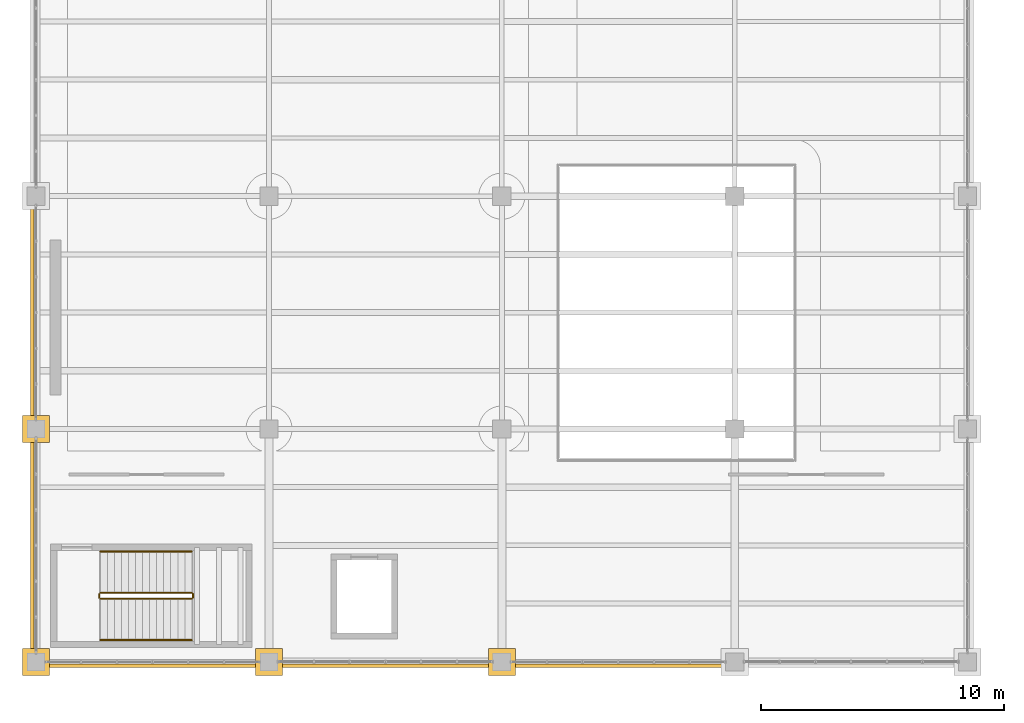
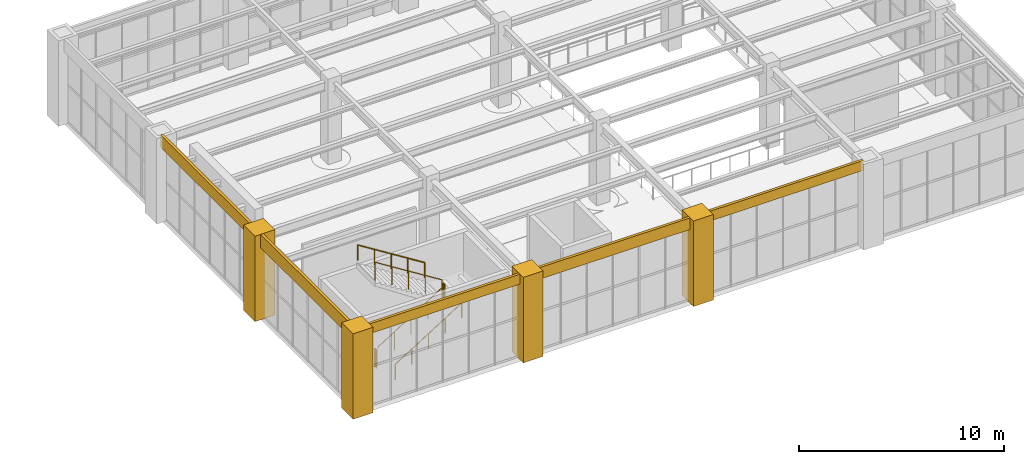
# One storey, part 153 of 174: 9 coverings, 6 railings.
"""IFC4 building model written with IfcOpenShell, lengths in metres."""

import ifcopenshell
import ifcopenshell.guid

model = None  # the IFC model being written
_history = None  # IfcOwnerHistory: only IFC2X3 demands one
_inside = {}  # id of a spatial element -> (the spatial element, [elements in it])
_under = {}  # id of a project, library or spatial element -> (it, [spatial elements below it])
_declared = {}  # id of a project -> (the project, [libraries it declares])
_typed = {}  # id of a type object -> (the type object, [elements of that type])
_made_of = {}  # id of a material, layer set ... -> (it, [elements and type objects made of it])


def new_model(schema):
    """Start an empty IFC model of exactly this schema.

    Asked for "IFC4X3", IfcOpenShell would pick the latest addendum, in which some entities
    have other attributes; the version numbers below select the first issue.
    IFC2X3 requires an IfcOwnerHistory on every rooted entity: one is made here for all.
    """
    global model, _history
    if schema == "IFC4X3":
        model = ifcopenshell.file(schema_version=(4, 3, 0, 0))
    else:
        model = ifcopenshell.file(schema=schema)
    _inside.clear()
    _under.clear()
    _declared.clear()
    _typed.clear()
    _made_of.clear()
    _history = None
    if model.schema == "IFC2X3":
        org = make("IfcOrganization", Name="unknown")
        user = make(
            "IfcPersonAndOrganization",
            ThePerson=make("IfcPerson", FamilyName="unknown"),
            TheOrganization=org,
        )
        app = make(
            "IfcApplication",
            ApplicationDeveloper=org,
            Version="unknown",
            ApplicationFullName="unknown",
            ApplicationIdentifier="unknown",
        )
        _history = make(
            "IfcOwnerHistory",
            OwningUser=user,
            OwningApplication=app,
            ChangeAction="ADDED",
            CreationDate=0,
        )
    return model


def make(cls, **values):
    """One entity of the class cls with the attributes given. An attribute that is None is left unset."""
    return model.create_entity(
        cls, **{name: value for name, value in values.items() if value is not None}
    )


def rooted(cls, **values):
    """An entity with a GlobalId (a new one), such as an element, a storey or a relation."""
    return make(cls, GlobalId=ifcopenshell.guid.new(), OwnerHistory=_history, **values)


def si_unit(unit_type, name, prefix=None):
    """IfcSIUnit, for example si_unit("LENGTHUNIT", "METRE", prefix="MILLI")."""
    return make("IfcSIUnit", UnitType=unit_type, Prefix=prefix, Name=name)


def assignment(units):
    """IfcUnitAssignment: the units of a project."""
    return None if units is None else make("IfcUnitAssignment", Units=units)


def point(xyz):
    """IfcCartesianPoint."""
    return None if xyz is None else make("IfcCartesianPoint", Coordinates=xyz)


def direction(xyz):
    """IfcDirection."""
    return None if xyz is None else make("IfcDirection", DirectionRatios=xyz)


def frame(location, z_axis=None, x_axis=None):
    """IfcAxis2Placement3D, a coordinate frame: its origin and axes. An axis left out is left unset."""
    return make(
        "IfcAxis2Placement3D",
        Location=point(location),
        Axis=direction(z_axis),
        RefDirection=direction(x_axis),
    )


def frame_2d(location, x_axis=None):
    """IfcAxis2Placement2D, a coordinate frame in the plane: its origin and x axis."""
    return make(
        "IfcAxis2Placement2D", Location=point(location), RefDirection=direction(x_axis)
    )


def origin():
    """The frame at (0, 0, 0) with its axes left unset."""
    return frame((0.0, 0.0, 0.0))


def origin_2d():
    """The frame at (0, 0) in the plane with its x axis left unset."""
    return frame_2d((0.0, 0.0))


def place(relative_to, where):
    """IfcLocalPlacement: puts the frame where relative to a parent placement (None: the world)."""
    return make(
        "IfcLocalPlacement", PlacementRelTo=relative_to, RelativePlacement=where
    )


def context(
    kind, dimensions, precision=None, world=None, true_north=None, identifier=None
):
    """IfcGeometricRepresentationContext, for example the 3D "Model" context."""
    return make(
        "IfcGeometricRepresentationContext",
        ContextIdentifier=identifier,
        ContextType=kind,
        CoordinateSpaceDimension=dimensions,
        Precision=precision,
        WorldCoordinateSystem=world,
        TrueNorth=true_north,
    )


def subcontext(parent, identifier, kind, view, scale=None):
    """IfcGeometricRepresentationSubContext, for example "Body" below "Model"."""
    return make(
        "IfcGeometricRepresentationSubContext",
        ContextIdentifier=identifier,
        ContextType=kind,
        ParentContext=parent,
        TargetScale=scale,
        TargetView=view,
    )


def project(units=None, contexts=None):
    """IfcProject with its units and contexts."""
    return rooted(
        "IfcProject",
        Name="project",
        RepresentationContexts=contexts,
        UnitsInContext=assignment(units),
    )


def spatial(cls, under=None, at=None, **own):
    """A site, building, storey or space (cls), placed at a placement, below another one or the project."""
    s = rooted(cls, ObjectPlacement=at, **own)
    if under is not None:
        _under.setdefault(under.id(), (under, []))[1].append(s)
    return s


def polyline(points):
    """IfcPolyline through the points."""
    return make("IfcPolyline", Points=[point(p) for p in points])


def profile(cls, at=None, kind="AREA", **sizes):
    """A parametric profile (cls). Its sizes go by their IFC names, for example OverallWidth=200.0."""
    return make(cls, ProfileType=kind, Position=at, **sizes)


def circle(**sizes):
    """IfcCircleProfileDef."""
    return profile("IfcCircleProfileDef", **sizes)


def outline(outer, holes=None, kind="AREA"):
    """IfcArbitraryClosedProfileDef: a profile drawn as a closed curve; with holes, ...WithVoids."""
    if holes is None:
        return make("IfcArbitraryClosedProfileDef", ProfileType=kind, OuterCurve=outer)
    return make(
        "IfcArbitraryProfileDefWithVoids",
        ProfileType=kind,
        OuterCurve=outer,
        InnerCurves=holes,
    )


def extrude(swept, where, along, depth):
    """IfcExtrudedAreaSolid: the profile swept, set in the frame where, extruded along a direction by depth."""
    return make(
        "IfcExtrudedAreaSolid",
        SweptArea=swept,
        Position=where,
        ExtrudedDirection=direction(along),
        Depth=depth,
    )


def shape(context_of_items, identifier, shape_type, items):
    """IfcShapeRepresentation: the items that make up one representation, for example the "Body"."""
    return make(
        "IfcShapeRepresentation",
        ContextOfItems=context_of_items,
        RepresentationIdentifier=identifier,
        RepresentationType=shape_type,
        Items=items,
    )


def material(Name=None, Category=None):
    """IfcMaterial."""
    return make("IfcMaterial", Name=Name, Category=Category)


def layer(
    of_material, thickness, ventilated=None, Name=None, Category=None, Priority=None
):
    """IfcMaterialLayer: one layer of a wall or slab, of a material (None: an air gap)."""
    return make(
        "IfcMaterialLayer",
        Material=of_material,
        LayerThickness=thickness,
        IsVentilated=ventilated,
        Name=Name,
        Category=Category,
        Priority=Priority,
    )


def layer_set(layers, Name=None):
    """IfcMaterialLayerSet."""
    return make("IfcMaterialLayerSet", MaterialLayers=layers, LayerSetName=Name)


def made_of(thing, what):
    """Note that an element or type object is made of a material, layer set ...; save() writes the relation."""
    if what is not None:
        _made_of.setdefault(what.id(), (what, []))[1].append(thing)
    return thing


def type_object(cls, material=None, **own):
    """A type object (cls), such as IfcWallType, which elements share."""
    return made_of(rooted(cls, **own), material)


def element(
    cls,
    number,
    at=None,
    inside=None,
    cuts=None,
    type_object=None,
    material=None,
    context=None,
    identifier="Body",
    shape_type=None,
    held_by="IfcProductDefinitionShape",
    body=None,
    shapes=None,
    **own,
):
    """One element of the class cls, such as IfcWall. Its Tag is "e" and its number.

    at: its placement. inside: the storey or other place that contains it. cuts: it is an
    opening in that element (IfcRelVoidsElement). A single representation is given by context,
    identifier, shape_type and body (its items); several are given by shapes. held_by: the class
    of the entity that holds the representations. save() writes the other relations.
    """
    e = rooted(cls, Tag="e%d" % number, ObjectPlacement=at, **own)
    if body is not None:
        shapes = [shape(context, identifier, shape_type, body)]
    if shapes is not None:
        e.Representation = make(held_by, Representations=shapes)
    if inside is not None:
        _inside.setdefault(inside.id(), (inside, []))[1].append(e)
    if cuts is not None:
        rooted(
            "IfcRelVoidsElement", RelatingBuildingElement=cuts, RelatedOpeningElement=e
        )
    if type_object is not None:
        _typed.setdefault(type_object.id(), (type_object, []))[1].append(e)
    return made_of(e, material)


def aggregate(whole, parts):
    """IfcRelAggregates: a whole, such as a stair, and the parts it consists of."""
    return rooted("IfcRelAggregates", RelatingObject=whole, RelatedObjects=parts)


def save(model, path):
    """Write the relations noted so far, then the file.

    IfcRelAggregates (storeys below a building ...), IfcRelContainedInSpatialStructure (elements
    in a storey), IfcRelDefinesByType, IfcRelAssociatesMaterial and IfcRelDeclares: one each for
    every whole, place, type object, material and project.
    """
    for whole, parts in _under.values():
        aggregate(whole, parts)
    for where, things in _inside.values():
        rooted(
            "IfcRelContainedInSpatialStructure",
            RelatedElements=things,
            RelatingStructure=where,
        )
    for kind, things in _typed.values():
        rooted("IfcRelDefinesByType", RelatedObjects=things, RelatingType=kind)
    for what, things in _made_of.values():
        rooted("IfcRelAssociatesMaterial", RelatedObjects=things, RelatingMaterial=what)
    for by, libraries in _declared.values():
        rooted("IfcRelDeclares", RelatingContext=by, RelatedDefinitions=libraries)
    model.write(path)


model = new_model("IFC4")

# Units and contexts
model_context = context("Model", 3, precision=1e-05, world=origin(), true_north=direction((0.0, 1.0)))
body_context = subcontext(model_context, "Body", "Model", "MODEL_VIEW")
ifc_project = project(units=[si_unit("LENGTHUNIT", "METRE"), si_unit("AREAUNIT", "SQUARE_METRE"), si_unit("VOLUMEUNIT", "CUBIC_METRE"), si_unit("PLANEANGLEUNIT", "RADIAN"), si_unit("MASSUNIT", "GRAM", prefix="KILO")], contexts=[model_context])

# Site, building, storey
site_placement = place(None, origin())
site = spatial("IfcSite", under=ifc_project, at=site_placement, CompositionType="ELEMENT")
building_placement = place(site_placement, origin())
building = spatial("IfcBuilding", under=site, at=building_placement, Name="Mavantir Sound Aquarium", CompositionType="ELEMENT")
storey_placement = place(building_placement, frame((0.0, 0.0, 5.39990234375)))
storey = spatial("IfcBuildingStorey", under=building, at=storey_placement, Name="L01", CompositionType="ELEMENT", Elevation=5.39990234375)

# Coverings
ifc_material_1 = material(Name="Honed Coral-Limestone & Glazed Terracotta Rainscreen Cladding", Category="masonry")
ifc_layer = layer(ifc_material_1, 0.06005859375, Name="Honed Coral-Limestone & Glazed Terracotta Rainscreen Cladding")
ifc_layer_set = layer_set([ifc_layer], Name="Honed Coral-Limestone & Glazed Terracotta Rainscreen Cladding")
covering_type = type_object("IfcCoveringType", Name="COV-CLAD-TC", PredefinedType="CLADDING", material=ifc_layer_set)
covering_1_placement = place(storey_placement, frame((0.0, 0.0, 4.363037109375)))
element("IfcCovering", 1, at=covering_1_placement, inside=storey, type_object=covering_type, Name="L01 Postmodern coral-limestone spandrel frieze 202", PredefinedType="CLADDING", context=body_context, shape_type="SweptSolid", body=[
    extrude(outline(polyline([(-0.090087890625, 18.81689453125), (-0.090087890625, 9.98291015625), (-0.239990234375, 9.98291015625), (-0.239990234375, 18.81689453125), (-0.090087890625, 18.81689453125)])), origin(), (0.0, 0.0, 1.0), 0.737060546875),
])
covering_2_placement = place(storey_placement, frame((0.0, 0.0, 4.299072265625)))
element("IfcCovering", 2, at=covering_2_placement, inside=storey, type_object=covering_type, Name="L01 Postmodern coral-limestone spandrel frieze 203", PredefinedType="CLADDING", context=body_context, shape_type="SweptSolid", body=[
    extrude(outline(polyline([(-0.090087890625, 9.217041015625), (-0.090087890625, 0.383056640625), (-0.239990234375, 0.383056640625), (-0.239990234375, 9.217041015625), (-0.090087890625, 9.217041015625)])), origin(), (0.0, 0.0, 1.0), 0.801025390625),
])
covering_3_placement = place(storey_placement, frame((0.0, 0.0, 4.51318359375)))
element("IfcCovering", 3, at=covering_3_placement, inside=storey, type_object=covering_type, Name="L01 Postmodern coral-limestone spandrel frieze 204", PredefinedType="CLADDING", context=body_context, shape_type="SweptSolid", body=[
    extrude(outline(polyline([(0.383056640625, -0.090087890625), (9.217041015625, -0.090087890625), (9.217041015625, -0.239990234375), (0.383056640625, -0.239990234375), (0.383056640625, -0.090087890625)])), origin(), (0.0, 0.0, 1.0), 0.5869140625),
])
covering_4_placement = place(storey_placement, frame((0.0, 0.0, 4.408203125)))
element("IfcCovering", 4, at=covering_4_placement, inside=storey, type_object=covering_type, Name="L01 Postmodern coral-limestone spandrel frieze 205", PredefinedType="CLADDING", context=body_context, shape_type="SweptSolid", body=[
    extrude(outline(polyline([(9.98291015625, -0.090087890625), (18.81689453125, -0.090087890625), (18.81689453125, -0.239990234375), (9.98291015625, -0.239990234375), (9.98291015625, -0.090087890625)])), origin(), (0.0, 0.0, 1.0), 0.69189453125),
])
covering_5_placement = place(storey_placement, frame((0.0, 0.0, 4.51318359375)))
element("IfcCovering", 5, at=covering_5_placement, inside=storey, type_object=covering_type, Name="L01 Postmodern coral-limestone spandrel frieze 206", PredefinedType="CLADDING", context=body_context, shape_type="SweptSolid", body=[
    extrude(outline(polyline([(19.5830078125, -0.090087890625), (28.4169921875, -0.090087890625), (28.4169921875, -0.239990234375), (19.5830078125, -0.239990234375), (19.5830078125, -0.090087890625)])), origin(), (0.0, 0.0, 1.0), 0.5869140625),
])
covering_6_placement = place(storey_placement, origin())
element("IfcCovering", 6, at=covering_6_placement, inside=storey, type_object=covering_type, Name="L01 Postmodern coral-limestone pilaster casing 160", PredefinedType="CLADDING", context=body_context, shape_type="SweptSolid", body=[
    extrude(outline(polyline([(-0.56005859375, -0.56005859375), (0.56005859375, -0.56005859375), (0.56005859375, 0.56005859375), (-0.56005859375, 0.56005859375), (-0.56005859375, -0.56005859375)])), origin(), (0.0, 0.0, 1.0), 5.10009765625),
])
covering_7_placement = place(storey_placement, origin())
element("IfcCovering", 7, at=covering_7_placement, inside=storey, type_object=covering_type, Name="L01 Postmodern coral-limestone pilaster casing 164", PredefinedType="CLADDING", context=body_context, shape_type="SweptSolid", body=[
    extrude(outline(polyline([(-0.56005859375, 9.0400390625), (0.56005859375, 9.0400390625), (0.56005859375, 10.159912109375), (-0.56005859375, 10.159912109375), (-0.56005859375, 9.0400390625)])), origin(), (0.0, 0.0, 1.0), 5.10009765625),
])
covering_8_placement = place(storey_placement, origin())
element("IfcCovering", 8, at=covering_8_placement, inside=storey, type_object=covering_type, Name="L01 Postmodern coral-limestone pilaster casing 174", PredefinedType="CLADDING", context=body_context, shape_type="SweptSolid", body=[
    extrude(outline(polyline([(9.0400390625, -0.56005859375), (10.159912109375, -0.56005859375), (10.159912109375, 0.56005859375), (9.0400390625, 0.56005859375), (9.0400390625, -0.56005859375)])), origin(), (0.0, 0.0, 1.0), 5.10009765625),
])
covering_9_placement = place(storey_placement, origin())
element("IfcCovering", 9, at=covering_9_placement, inside=storey, type_object=covering_type, Name="L01 Postmodern coral-limestone pilaster casing 182", PredefinedType="CLADDING", context=body_context, shape_type="SweptSolid", body=[
    extrude(outline(polyline([(18.639892578125, -0.56005859375), (19.760009765625, -0.56005859375), (19.760009765625, 0.56005859375), (18.639892578125, 0.56005859375), (18.639892578125, -0.56005859375)])), origin(), (0.0, 0.0, 1.0), 5.10009765625),
])

# Railings
ifc_material_2 = material(Name="Stainless Steel 316 and Laminated Glass Guardrail", Category="steel")
railing_type_1 = type_object("IfcRailingType", Name="RL-GUARD-110", PredefinedType="GUARDRAIL", material=ifc_material_2)
railing_1_placement = place(storey_placement, frame((2.64990234375, 2.60009765625, 0.18212890625)))
element("IfcRailing", 10, at=railing_1_placement, inside=storey, type_object=railing_type_1, Name="L01 ST3 stair guard 1", PredefinedType="GUARDRAIL", context=body_context, shape_type="SweptSolid", body=[
    extrude(circle(Radius=0.02392578125, at=origin_2d()), frame((0.0, 0.0, 1.076171875), z_axis=(0.846819337722, 0.0, 0.53188063441), x_axis=(0.0, 1.0, 0.0)), (0.0, 0.0, 1.0), 4.451904296875),
    extrude(circle(Radius=0.02099609375, at=origin_2d()), origin(), (0.0, 0.0, 1.0), 1.052001953125),
    extrude(circle(Radius=0.02099609375, at=origin_2d()), frame((0.9423828125, 0.0, 0.592041015625)), (0.0, 0.0, 1.0), 1.052001953125),
    extrude(circle(Radius=0.02099609375, at=origin_2d()), frame((1.885009765625, 0.0, 1.18408203125)), (0.0, 0.0, 1.0), 1.052001953125),
    extrude(circle(Radius=0.02099609375, at=origin_2d()), frame((2.82763671875, 0.0, 1.77587890625)), (0.0, 0.0, 1.0), 1.052001953125),
    extrude(circle(Radius=0.02099609375, at=origin_2d()), frame((3.77001953125, 0.0, 2.367919921875)), (0.0, 0.0, 1.0), 1.052001953125),
])
railing_2_placement = place(storey_placement, frame((6.469970703125, 2.64990234375, 2.550048828125)))
element("IfcRailing", 11, at=railing_2_placement, inside=storey, type_object=railing_type_1, Name="L01 ST3 stair guard 2", PredefinedType="GUARDRAIL", context=body_context, shape_type="SweptSolid", body=[
    extrude(circle(Radius=0.02392578125, at=origin_2d()), frame((0.0, 0.0, 1.076171875), z_axis=(0.0, 1.0, 0.0), x_axis=(-1.0, 0.0, 0.0)), (0.0, 0.0, 1.0), 0.150146484375),
    extrude(circle(Radius=0.02099609375, at=origin_2d()), origin(), (0.0, 0.0, 1.0), 1.052001953125),
    extrude(circle(Radius=0.02099609375, at=origin_2d()), frame((0.0, 0.150146484375, 0.0)), (0.0, 0.0, 1.0), 1.052001953125),
])
railing_3_placement = place(storey_placement, frame((6.419921875, 2.85009765625, 2.732177734375)))
element("IfcRailing", 12, at=railing_3_placement, inside=storey, type_object=railing_type_1, Name="L01 ST3 stair guard 3", PredefinedType="GUARDRAIL", context=body_context, shape_type="SweptSolid", body=[
    extrude(circle(Radius=0.02392578125, at=origin_2d()), frame((0.0, 0.0, 1.076171875), z_axis=(-0.846819337722, 0.0, 0.53188063441), x_axis=(0.0, -1.0, 0.0)), (0.0, 0.0, 1.0), 4.451904296875),
    extrude(circle(Radius=0.02099609375, at=origin_2d()), origin(), (0.0, 0.0, 1.0), 1.052001953125),
    extrude(circle(Radius=0.02099609375, at=origin_2d()), frame((-0.9423828125, 0.0, 0.592041015625)), (0.0, 0.0, 1.0), 1.052001953125),
    extrude(circle(Radius=0.02099609375, at=origin_2d()), frame((-1.885009765625, 0.0, 1.18408203125)), (0.0, 0.0, 1.0), 1.052001953125),
    extrude(circle(Radius=0.02099609375, at=origin_2d()), frame((-2.82763671875, 0.0, 1.77587890625)), (0.0, 0.0, 1.0), 1.052001953125),
    extrude(circle(Radius=0.02099609375, at=origin_2d()), frame((-3.77001953125, 0.0, 2.367919921875)), (0.0, 0.0, 1.0), 1.052001953125),
])
railing_4_placement = place(storey_placement, frame((2.60009765625, 2.64990234375, 0.0)))
element("IfcRailing", 13, at=railing_4_placement, inside=storey, type_object=railing_type_1, Name="L01 ST3 stair guard 4", PredefinedType="GUARDRAIL", context=body_context, shape_type="SweptSolid", body=[
    extrude(circle(Radius=0.02392578125, at=origin_2d()), frame((0.0, 0.0, 1.076171875), z_axis=(0.0, 1.0, 0.0), x_axis=(-1.0, 0.0, 0.0)), (0.0, 0.0, 1.0), 0.150146484375),
    extrude(circle(Radius=0.02099609375, at=origin_2d()), origin(), (0.0, 0.0, 1.0), 1.052001953125),
    extrude(circle(Radius=0.02099609375, at=origin_2d()), frame((0.0, 0.150146484375, 0.0)), (0.0, 0.0, 1.0), 1.052001953125),
])
ifc_material_3 = material(Name="Brushed Stainless Steel 316 Handrail", Category="steel")
railing_type_2 = type_object("IfcRailingType", Name="RL-HR-90", PredefinedType="HANDRAIL", material=ifc_material_3)
railing_5_placement = place(storey_placement, frame((2.64990234375, 0.89990234375, 0.3671875)))
element("IfcRailing", 14, at=railing_5_placement, inside=storey, type_object=railing_type_2, Name="L01 ST3 stair handrail 1", PredefinedType="HANDRAIL", context=body_context, shape_type="SweptSolid", body=[
    extrude(circle(Radius=0.02392578125, at=origin_2d()), frame((0.0, 0.0, 0.89111328125), z_axis=(0.846819337722, 0.0, 0.53188063441), x_axis=(0.0, 1.0, 0.0)), (0.0, 0.0, 1.0), 4.451904296875),
    extrude(circle(Radius=0.02099609375, at=origin_2d()), origin(), (0.0, 0.0, 1.0), 0.866943359375),
    extrude(circle(Radius=0.02099609375, at=origin_2d()), frame((0.9423828125, 0.0, 0.592041015625)), (0.0, 0.0, 1.0), 0.866943359375),
    extrude(circle(Radius=0.02099609375, at=origin_2d()), frame((1.885009765625, 0.0, 1.18408203125)), (0.0, 0.0, 1.0), 0.866943359375),
    extrude(circle(Radius=0.02099609375, at=origin_2d()), frame((2.82763671875, 0.0, 1.77587890625)), (0.0, 0.0, 1.0), 0.866943359375),
    extrude(circle(Radius=0.02099609375, at=origin_2d()), frame((3.77001953125, 0.0, 2.367919921875)), (0.0, 0.0, 1.0), 0.866943359375),
])
railing_6_placement = place(storey_placement, frame((6.419921875, 4.550048828125, 2.917236328125)))
element("IfcRailing", 15, at=railing_6_placement, inside=storey, type_object=railing_type_2, Name="L01 ST3 stair handrail 2", PredefinedType="HANDRAIL", context=body_context, shape_type="SweptSolid", body=[
    extrude(circle(Radius=0.02392578125, at=origin_2d()), frame((0.0, 0.0, 0.89111328125), z_axis=(-0.846819337722, 0.0, 0.53188063441), x_axis=(0.0, -1.0, 0.0)), (0.0, 0.0, 1.0), 4.451904296875),
    extrude(circle(Radius=0.02099609375, at=origin_2d()), origin(), (0.0, 0.0, 1.0), 0.866943359375),
    extrude(circle(Radius=0.02099609375, at=origin_2d()), frame((-0.9423828125, 0.0, 0.592041015625)), (0.0, 0.0, 1.0), 0.866943359375),
    extrude(circle(Radius=0.02099609375, at=origin_2d()), frame((-1.885009765625, 0.0, 1.18408203125)), (0.0, 0.0, 1.0), 0.866943359375),
    extrude(circle(Radius=0.02099609375, at=origin_2d()), frame((-2.82763671875, 0.0, 1.77587890625)), (0.0, 0.0, 1.0), 0.866943359375),
    extrude(circle(Radius=0.02099609375, at=origin_2d()), frame((-3.77001953125, 0.0, 2.367919921875)), (0.0, 0.0, 1.0), 0.866943359375),
])

save(model, "model.ifc")
